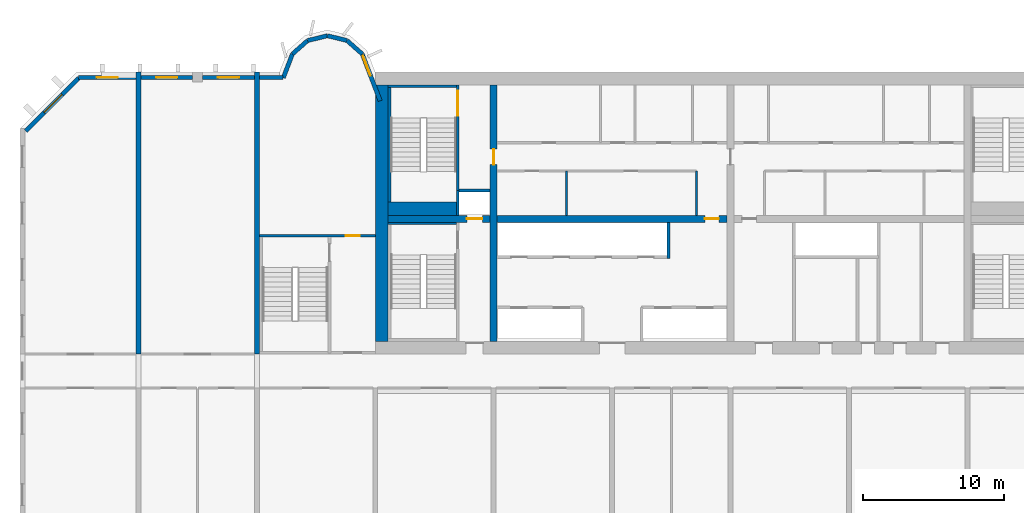
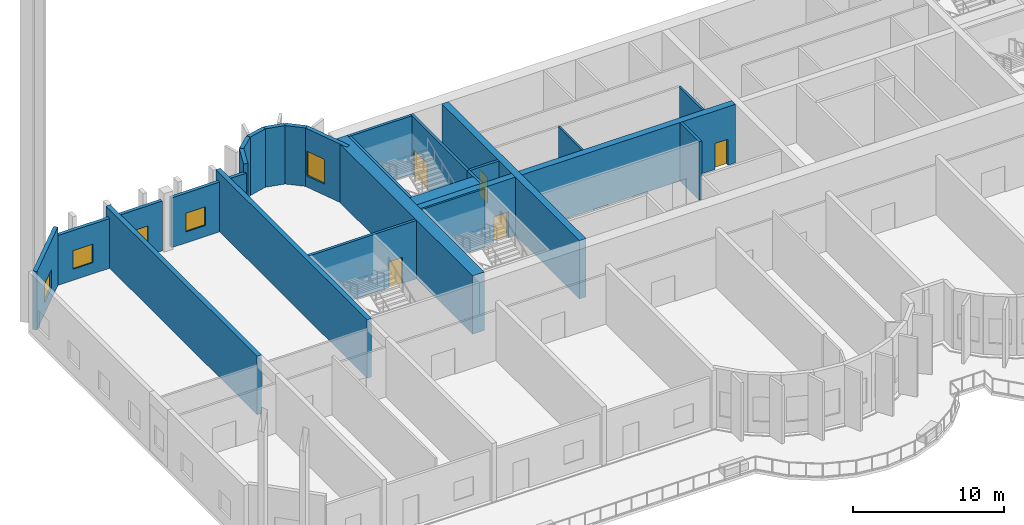
# One storey, part 5 of 13: 28 walls, 5 doors, 5 windows, 10 openings.
"""IFC4 building model written with IfcOpenShell, lengths in metres."""

from ifc_helpers import new_model, si_unit, direction, frame, frame_2d, origin, place, context, subcontext, project, spatial, rectangle, extrude, source, transform, mapped, material, layer, layer_set, type_object, element, fill, save


model = new_model("IFC4")

# Units and contexts
model_context = context("Model", 3, precision=1e-05, world=origin(), true_north=direction((0.0, 1.0)))
body_context = subcontext(model_context, "Body", "Model", "MODEL_VIEW")
ifc_project = project(units=[si_unit("LENGTHUNIT", "METRE"), si_unit("AREAUNIT", "SQUARE_METRE"), si_unit("VOLUMEUNIT", "CUBIC_METRE"), si_unit("PLANEANGLEUNIT", "RADIAN"), si_unit("MASSUNIT", "GRAM", prefix="KILO")], contexts=[model_context])

# Site, building, storey
site_placement = place(None, origin())
site = spatial("IfcSite", under=ifc_project, at=site_placement, CompositionType="ELEMENT")
building_placement = place(site_placement, origin())
building = spatial("IfcBuilding", under=site, at=building_placement, Name="Vanashikhar Sky Hotel", CompositionType="ELEMENT")
storey_placement = place(building_placement, frame((0.0, 0.0, 86.39990234375)))
storey = spatial("IfcBuildingStorey", under=building, at=storey_placement, Name="L20", CompositionType="ELEMENT", Elevation=86.39990234375)

# Wall
ifc_material_1 = material(Name="Concrete M70", Category="concrete")
ifc_layer_1 = layer(ifc_material_1, 0.89990234375)
ifc_layer_set_1 = layer_set([ifc_layer_1], Name="RC core shell wall 900 Concrete M70")
wall_type_1 = type_object("IfcWallType", Name="RC core shell wall 900 Concrete M70", PredefinedType="SHEAR", material=ifc_layer_set_1)
shared_shape_1 = source(origin(), body_context, "Body", "SweptSolid", [
    extrude(rectangle(XDim=18.2001953125, YDim=0.89990234375, at=frame_2d((9.10009765625, 0.0))), origin(), (0.0, 0.0, 1.0), 4.72021484375),
])
wall_1_placement = place(storey_placement, frame((25.64990234375, 22.89990234375, 0.0), z_axis=(0.0, 0.0, 1.0), x_axis=(0.0, 1.0, 0.0)))
element("IfcWall", 1, at=wall_1_placement, inside=storey, type_object=wall_type_1, Name="KW-L20-KW", PredefinedType="SHEAR", context=body_context, shape_type="MappedRepresentation", body=[
    mapped(shared_shape_1, transform((0.0, 0.0, 0.0), scale=1.0)),
])

# Wall, opening, door
ifc_layer_2 = layer(ifc_material_1, 0.5)
ifc_layer_set_2 = layer_set([ifc_layer_2], Name="RC core inner wall 500 Concrete M70")
wall_type_2 = type_object("IfcWallType", Name="RC core inner wall 500 Concrete M70", PredefinedType="SHEAR", material=ifc_layer_set_2)
shared_shape_2 = source(origin(), body_context, "Body", "SweptSolid", [
    extrude(rectangle(XDim=18.2001953125, YDim=0.5, at=frame_2d((9.10009765625, 0.0))), origin(), (0.0, 0.0, 1.0), 4.72021484375),
])
wall_2_placement = place(storey_placement, frame((33.60009765625, 22.89990234375, 0.0), z_axis=(0.0, 0.0, 1.0), x_axis=(0.0, 1.0, 0.0)))
wall_2 = element("IfcWall", 2, at=wall_2_placement, inside=storey, type_object=wall_type_2, Name="KW-L20-KX1", PredefinedType="SHEAR", context=body_context, shape_type="MappedRepresentation", body=[
    mapped(shared_shape_2, transform((0.0, 0.0, 0.0), scale=1.0)),
])
shared_shape_3 = source(origin(), body_context, "Body", "SweptSolid", [
    extrude(rectangle(XDim=1.10009765625, YDim=2.10009765625, at=frame_2d((0.550048828125, 1.050048828125))), frame((0.0, 0.260009765625, 0.0), z_axis=(0.0, -1.0, 0.0), x_axis=(1.0, 0.0, 0.0)), (0.0, 0.0, 1.0), 0.52001953125),
])
opening_1_placement = place(wall_2_placement, frame((12.550048828125, 0.0, 0.0)))
opening_1 = element("IfcOpeningElement", 3, at=opening_1_placement, cuts=wall_2, Name="Opening DC-4-C", PredefinedType="OPENING", context=body_context, shape_type="MappedRepresentation", body=[
    mapped(shared_shape_3, transform((0.0, 0.0, 0.0), scale=1.0)),
])
ifc_material_2 = material(Name="Steel", Category="steel")
door_type_1 = type_object("IfcDoorType", Name="Service door 1100 FD60", OperationType="NOTDEFINED", PredefinedType="DOOR", material=ifc_material_2)
shared_shape_4 = source(origin(), body_context, "Body", "SweptSolid", [
    extrude(rectangle(XDim=1.10009765625, YDim=2.10009765625, at=frame_2d((0.550048828125, 1.050048828125))), frame((0.0, 0.02490234375, 0.0), z_axis=(0.0, -1.0, 0.0), x_axis=(1.0, 0.0, 0.0)), (0.0, 0.0, 1.0), 0.050048828125),
])
door_1_placement = place(opening_1_placement, origin())
door_1 = element("IfcDoor", 4, at=door_1_placement, inside=storey, type_object=door_type_1, Name="Service door 1100 FD60", OperationType="SINGLE_SWING_LEFT", OverallHeight=2.10009765625, OverallWidth=1.10009765625, PredefinedType="DOOR", context=body_context, shape_type="MappedRepresentation", body=[
    mapped(shared_shape_4, transform((0.0, 0.0, 0.0), scale=1.0)),
])
fill(opening_1, door_1)

shared_shape_5 = source(origin(), body_context, "Body", "SweptSolid", [
    extrude(rectangle(XDim=7.25, YDim=0.5, at=frame_2d((3.625, 0.0))), origin(), (0.0, 0.0, 1.0), 4.72021484375),
])
wall_3_placement = place(storey_placement, frame((26.10009765625, 31.60009765625, 0.0), z_axis=(0.0, 0.0, 1.0), x_axis=(1.0, 0.0, 0.0)))
wall_3 = element("IfcWall", 5, at=wall_3_placement, inside=storey, type_object=wall_type_2, Name="KW-L20-KY1", PredefinedType="SHEAR", context=body_context, shape_type="MappedRepresentation", body=[
    mapped(shared_shape_5, transform((0.0, 0.0, 0.0), scale=1.0)),
])
opening_2_placement = place(wall_3_placement, frame((5.60009765625, 0.0, 0.0)))
opening_2 = element("IfcOpeningElement", 6, at=opening_2_placement, cuts=wall_3, Name="Opening LD", PredefinedType="OPENING", context=body_context, shape_type="MappedRepresentation", body=[
    mapped(shared_shape_3, transform((0.0, 0.0, 0.0), scale=1.0)),
])
ifc_material_3 = material(Name="Stainless steel", Category="steel")
door_type_2 = type_object("IfcDoorType", Name="Lift landing door 1100", OperationType="NOTDEFINED", PredefinedType="DOOR", material=ifc_material_3)
door_2_placement = place(opening_2_placement, origin())
door_2 = element("IfcDoor", 7, at=door_2_placement, inside=storey, type_object=door_type_2, Name="Lift landing door 1100", OperationType="SLIDING_TO_RIGHT", OverallHeight=2.10009765625, OverallWidth=1.10009765625, PredefinedType="DOOR", context=body_context, shape_type="MappedRepresentation", body=[
    mapped(shared_shape_4, transform((0.0, 0.0, 0.0), scale=1.0)),
])
fill(opening_2, door_2)

shared_shape_6 = source(origin(), body_context, "Body", "SweptSolid", [
    extrude(rectangle(XDim=16.2998046875, YDim=0.5, at=frame_2d((8.14990234375, 0.0))), origin(), (0.0, 0.0, 1.0), 4.72021484375),
])
wall_4_placement = place(storey_placement, frame((33.85009765625, 31.60009765625, 0.0), z_axis=(0.0, 0.0, 1.0), x_axis=(1.0, 0.0, 0.0)))
wall_4 = element("IfcWall", 8, at=wall_4_placement, inside=storey, type_object=wall_type_2, Name="KW-L20-KY2", PredefinedType="SHEAR", context=body_context, shape_type="MappedRepresentation", body=[
    mapped(shared_shape_6, transform((0.0, 0.0, 0.0), scale=1.0)),
])
shared_shape_7 = source(origin(), body_context, "Body", "SweptSolid", [
    extrude(rectangle(XDim=1.0, YDim=2.10009765625, at=frame_2d((0.5, 1.050048828125))), frame((0.0, 0.260009765625, 0.0), z_axis=(0.0, -1.0, 0.0), x_axis=(1.0, 0.0, 0.0)), (0.0, 0.0, 1.0), 0.52001953125),
])
opening_3_placement = place(wall_4_placement, frame((14.72509765625, 0.0, 0.0)))
opening_3 = element("IfcOpeningElement", 9, at=opening_3_placement, cuts=wall_4, Name="Opening DC-4", PredefinedType="OPENING", context=body_context, shape_type="MappedRepresentation", body=[
    mapped(shared_shape_7, transform((0.0, 0.0, 0.0), scale=1.0)),
])
door_type_3 = type_object("IfcDoorType", Name="Service door 1000 FD60", OperationType="NOTDEFINED", PredefinedType="DOOR", material=ifc_material_2)
shared_shape_8 = source(origin(), body_context, "Body", "SweptSolid", [
    extrude(rectangle(XDim=1.0, YDim=2.10009765625, at=frame_2d((0.5, 1.050048828125))), frame((0.0, 0.02490234375, 0.0), z_axis=(0.0, -1.0, 0.0), x_axis=(1.0, 0.0, 0.0)), (0.0, 0.0, 1.0), 0.050048828125),
])
door_3_placement = place(opening_3_placement, origin())
door_3 = element("IfcDoor", 10, at=door_3_placement, inside=storey, type_object=door_type_3, Name="Service door 1000 FD60", OperationType="SINGLE_SWING_LEFT", OverallHeight=2.10009765625, OverallWidth=1.0, PredefinedType="DOOR", context=body_context, shape_type="MappedRepresentation", body=[
    mapped(shared_shape_8, transform((0.0, 0.0, 0.0), scale=1.0)),
])
fill(opening_3, door_3)

# Walls
ifc_layer_3 = layer(ifc_material_1, 0.35009765625)
ifc_layer_set_3 = layer_set([ifc_layer_3], Name="RC shear wall 350 Concrete M70")
wall_type_3 = type_object("IfcWallType", Name="RC shear wall 350 Concrete M70", PredefinedType="SHEAR", material=ifc_layer_set_3)
shared_shape_9 = source(origin(), body_context, "Body", "SweptSolid", [
    extrude(rectangle(XDim=20.0, YDim=0.35009765625, at=frame_2d((10.0, 0.0))), origin(), (0.0, 0.0, 1.0), 4.72021484375),
])
for number, where, z_axis, x_axis, name in (
    (11, (8.39990234375, 22.0, 0.0), (0.0, 0.0, 1.0), (0.0, 1.0, 0.0), "CW-L20-XW02-2"),
    (12, (16.800048828125, 22.0, 0.0), (0.0, 0.0, 1.0), (0.0, 1.0, 0.0), "CW-L20-XW03-2"),
):
    element("IfcWall", number, at=place(storey_placement, frame(where, z_axis=z_axis, x_axis=x_axis)), inside=storey, type_object=wall_type_3, Name=name, PredefinedType="SHEAR", context=body_context, shape_type="MappedRepresentation", body=[
        mapped(shared_shape_9, transform((0.0, 0.0, 0.0), scale=1.0)),
    ])

# Wall, opening, window
ifc_material_4 = material(Name="Concrete M50", Category="concrete")
ifc_layer_4 = layer(ifc_material_4, 0.300048828125)
ifc_layer_set_4 = layer_set([ifc_layer_4], Name="Lobe wall 300")
wall_type_4 = type_object("IfcWallType", Name="Lobe wall 300", PredefinedType="SOLIDWALL", material=ifc_layer_set_4)
shared_shape_10 = source(origin(), body_context, "Body", "SweptSolid", [
    extrude(rectangle(XDim=5.32568359375, YDim=0.300048828125, at=frame_2d((2.662841796875, 0.0))), origin(), (0.0, 0.0, 1.0), 4.72021484375),
])
wall_5_placement = place(storey_placement, frame((4.165771484375, 41.60009765625, 0.0), z_axis=(0.0, 0.0, 1.0), x_axis=(-0.707106781187, -0.707106781187, 0.0)))
wall_5 = element("IfcWall", 13, at=wall_5_placement, inside=storey, type_object=wall_type_4, Name="Corner wall", PredefinedType="SOLIDWALL", context=body_context, shape_type="MappedRepresentation", body=[
    mapped(shared_shape_10, transform((0.0, 0.0, 0.0), scale=1.0)),
])
shared_shape_11 = source(origin(), body_context, "Body", "SweptSolid", [
    extrude(rectangle(XDim=1.800048828125, YDim=1.5, at=frame_2d((0.89990234375, 0.75))), frame((0.0, 0.16015625, 0.0), z_axis=(0.0, -1.0, 0.0), x_axis=(1.0, 0.0, 0.0)), (0.0, 0.0, 1.0), 0.320068359375),
])
opening_4_placement = place(wall_5_placement, frame((1.671875, 0.0, 0.89990234375)))
opening_4 = element("IfcOpeningElement", 14, at=opening_4_placement, cuts=wall_5, Name="Opening WN-4", PredefinedType="OPENING", context=body_context, shape_type="MappedRepresentation", body=[
    mapped(shared_shape_11, transform((0.0, 0.0, 0.0), scale=1.0)),
])
ifc_material_5 = material(Name="Glass", Category="glass")
window_type_1 = type_object("IfcWindowType", Name="Corner window 1800 x 1500", PartitioningType="SINGLE_PANEL", PredefinedType="WINDOW", material=ifc_material_5)
shared_shape_12 = source(origin(), body_context, "Body", "SweptSolid", [
    extrude(rectangle(XDim=1.800048828125, YDim=1.5, at=frame_2d((0.89990234375, 0.75))), frame((0.0, 0.030029296875, 0.0), z_axis=(0.0, -1.0, 0.0), x_axis=(1.0, 0.0, 0.0)), (0.0, 0.0, 1.0), 0.06005859375),
])
window_1_placement = place(opening_4_placement, origin())
window_1 = element("IfcWindow", 15, at=window_1_placement, inside=storey, type_object=window_type_1, Name="Window WN-4", OverallHeight=1.5, OverallWidth=1.800048828125, PartitioningType="SINGLE_PANEL", PredefinedType="WINDOW", context=body_context, shape_type="MappedRepresentation", body=[
    mapped(shared_shape_12, transform((0.0, 0.0, 0.0), scale=1.0)),
])
fill(opening_4, window_1)

# Wall
ifc_layer_5 = layer(ifc_material_4, 0.25)
ifc_layer_set_5 = layer_set([ifc_layer_5], Name="Rear and end board-marked wall 250")
wall_type_5 = type_object("IfcWallType", Name="Rear and end board-marked wall 250", PredefinedType="SOLIDWALL", material=ifc_layer_set_5)
shared_shape_13 = source(origin(), body_context, "Body", "SweptSolid", [
    extrude(rectangle(XDim=1.682861328125, YDim=0.25, at=frame_2d((0.84130859375, 0.0))), origin(), (0.0, 0.0, 1.0), 4.02001953125),
])
wall_6_placement = place(storey_placement, frame((18.657958984375, 41.625, 0.0), z_axis=(0.0, 0.0, 1.0), x_axis=(-1.0, 0.0, 0.0)))
element("IfcWall", 16, at=wall_6_placement, inside=storey, type_object=wall_type_5, Name="Rear board-marked wall", PredefinedType="SOLIDWALL", context=body_context, shape_type="MappedRepresentation", body=[
    mapped(shared_shape_13, transform((0.0, 0.0, 0.0), scale=1.0)),
])

# Wall, opening, window
shared_shape_14 = source(origin(), body_context, "Body", "SweptSolid", [
    extrude(rectangle(XDim=3.675048828125, YDim=0.25, at=frame_2d((1.83740234375, 0.0))), origin(), (0.0, 0.0, 1.0), 4.02001953125),
])
wall_7_placement = place(storey_placement, frame((12.25, 41.625, 0.0), z_axis=(0.0, 0.0, 1.0), x_axis=(-1.0, 0.0, 0.0)))
wall_7 = element("IfcWall", 17, at=wall_7_placement, inside=storey, type_object=wall_type_5, Name="Rear board-marked wall", PredefinedType="SOLIDWALL", context=body_context, shape_type="MappedRepresentation", body=[
    mapped(shared_shape_14, transform((0.0, 0.0, 0.0), scale=1.0)),
])
shared_shape_15 = source(origin(), body_context, "Body", "SweptSolid", [
    extrude(rectangle(XDim=1.5, YDim=1.5, at=frame_2d((0.75, 0.75))), frame((0.0, 0.135009765625, 0.0), z_axis=(0.0, -1.0, 0.0), x_axis=(1.0, 0.0, 0.0)), (0.0, 0.0, 1.0), 0.27001953125),
])
opening_5_placement = place(wall_7_placement, frame((1.08740234375, 0.0, 0.89990234375)))
opening_5 = element("IfcOpeningElement", 18, at=opening_5_placement, cuts=wall_7, Name="Opening WN-1", PredefinedType="OPENING", context=body_context, shape_type="MappedRepresentation", body=[
    mapped(shared_shape_15, transform((0.0, 0.0, 0.0), scale=1.0)),
])
window_type_2 = type_object("IfcWindowType", Name="Window 1500 x 1500", PartitioningType="SINGLE_PANEL", PredefinedType="WINDOW", material=ifc_material_5)
shared_shape_16 = source(origin(), body_context, "Body", "SweptSolid", [
    extrude(rectangle(XDim=1.5, YDim=1.5, at=frame_2d((0.75, 0.75))), frame((0.0, 0.030029296875, 0.0), z_axis=(0.0, -1.0, 0.0), x_axis=(1.0, 0.0, 0.0)), (0.0, 0.0, 1.0), 0.06005859375),
])
window_2_placement = place(opening_5_placement, origin())
window_2 = element("IfcWindow", 19, at=window_2_placement, inside=storey, type_object=window_type_2, Name="Window WN-1", OverallHeight=1.5, OverallWidth=1.5, PartitioningType="SINGLE_PANEL", PredefinedType="WINDOW", context=body_context, shape_type="MappedRepresentation", body=[
    mapped(shared_shape_16, transform((0.0, 0.0, 0.0), scale=1.0)),
])
fill(opening_5, window_2)

wall_8_placement = place(storey_placement, frame((16.625, 41.625, 0.0), z_axis=(0.0, 0.0, 1.0), x_axis=(-1.0, 0.0, 0.0)))
wall_8 = element("IfcWall", 20, at=wall_8_placement, inside=storey, type_object=wall_type_5, Name="Rear board-marked wall", PredefinedType="SOLIDWALL", context=body_context, shape_type="MappedRepresentation", body=[
    mapped(shared_shape_14, transform((0.0, 0.0, 0.0), scale=1.0)),
])
opening_6_placement = place(wall_8_placement, frame((1.08740234375, 0.0, 0.89990234375)))
opening_6 = element("IfcOpeningElement", 21, at=opening_6_placement, cuts=wall_8, Name="Opening WN-1", PredefinedType="OPENING", context=body_context, shape_type="MappedRepresentation", body=[
    mapped(shared_shape_15, transform((0.0, 0.0, 0.0), scale=1.0)),
])
window_3_placement = place(opening_6_placement, origin())
window_3 = element("IfcWindow", 22, at=window_3_placement, inside=storey, type_object=window_type_2, Name="Window WN-1", OverallHeight=1.5, OverallWidth=1.5, PartitioningType="SINGLE_PANEL", PredefinedType="WINDOW", context=body_context, shape_type="MappedRepresentation", body=[
    mapped(shared_shape_16, transform((0.0, 0.0, 0.0), scale=1.0)),
])
fill(opening_6, window_3)

shared_shape_17 = source(origin(), body_context, "Body", "SweptSolid", [
    extrude(rectangle(XDim=4.06982421875, YDim=0.25, at=frame_2d((2.034912109375, 0.0))), origin(), (0.0, 0.0, 1.0), 4.02001953125),
])
wall_9_placement = place(storey_placement, frame((8.22509765625, 41.625, 0.0), z_axis=(0.0, 0.0, 1.0), x_axis=(-1.0, 0.0, 0.0)))
wall_9 = element("IfcWall", 23, at=wall_9_placement, inside=storey, type_object=wall_type_5, Name="Rear board-marked wall", PredefinedType="SOLIDWALL", context=body_context, shape_type="MappedRepresentation", body=[
    mapped(shared_shape_17, transform((0.0, 0.0, 0.0), scale=1.0)),
])
opening_7_placement = place(wall_9_placement, frame((1.284912109375, 0.0, 0.89990234375)))
opening_7 = element("IfcOpeningElement", 24, at=opening_7_placement, cuts=wall_9, Name="Opening WN-1", PredefinedType="OPENING", context=body_context, shape_type="MappedRepresentation", body=[
    mapped(shared_shape_15, transform((0.0, 0.0, 0.0), scale=1.0)),
])
window_4_placement = place(opening_7_placement, origin())
window_4 = element("IfcWindow", 25, at=window_4_placement, inside=storey, type_object=window_type_2, Name="Window WN-1", OverallHeight=1.5, OverallWidth=1.5, PartitioningType="SINGLE_PANEL", PredefinedType="WINDOW", context=body_context, shape_type="MappedRepresentation", body=[
    mapped(shared_shape_16, transform((0.0, 0.0, 0.0), scale=1.0)),
])
fill(opening_7, window_4)

# Walls
shared_shape_18 = source(origin(), body_context, "Body", "SweptSolid", [
    extrude(rectangle(XDim=1.81201171875, YDim=0.300048828125, at=frame_2d((0.906005859375, 0.0))), origin(), (0.0, 0.0, 1.0), 4.72021484375),
])
wall_10_placement = place(storey_placement, frame((19.323486328125, 43.2919921875, 0.0), z_axis=(0.0, 0.0, 1.0), x_axis=(-0.357877270961, -0.93376863244, 0.0)))
element("IfcWall", 26, at=wall_10_placement, inside=storey, type_object=wall_type_4, Name="Lobe wall", PredefinedType="SOLIDWALL", context=body_context, shape_type="MappedRepresentation", body=[
    mapped(shared_shape_18, transform((0.0, 0.0, 0.0), scale=1.0)),
])
shared_shape_19 = source(origin(), body_context, "Body", "SweptSolid", [
    extrude(rectangle(XDim=1.43994140625, YDim=0.300048828125, at=frame_2d((0.719970703125, 0.0))), origin(), (0.0, 0.0, 1.0), 4.72021484375),
])
wall_11_placement = place(storey_placement, frame((20.40283203125, 44.2451171875, 0.0), z_axis=(0.0, 0.0, 1.0), x_axis=(-0.74957555648, -0.661918790432, 0.0)))
element("IfcWall", 27, at=wall_11_placement, inside=storey, type_object=wall_type_4, Name="Lobe wall", PredefinedType="SOLIDWALL", context=body_context, shape_type="MappedRepresentation", body=[
    mapped(shared_shape_19, transform((0.0, 0.0, 0.0), scale=1.0)),
])
shared_shape_20 = source(origin(), body_context, "Body", "SweptSolid", [
    extrude(rectangle(XDim=1.438720703125, YDim=0.300048828125, at=frame_2d((0.71923828125, 0.0))), origin(), (0.0, 0.0, 1.0), 4.72021484375),
])
wall_12_placement = place(storey_placement, frame((21.800048828125, 44.588134765625, 0.0), z_axis=(0.0, 0.0, 1.0), x_axis=(-0.971161932466, -0.238420848351, 0.0)))
element("IfcWall", 28, at=wall_12_placement, inside=storey, type_object=wall_type_4, Name="Lobe wall", PredefinedType="SOLIDWALL", context=body_context, shape_type="MappedRepresentation", body=[
    mapped(shared_shape_20, transform((0.0, 0.0, 0.0), scale=1.0)),
])

# Wall, opening, window
shared_shape_21 = source(origin(), body_context, "Body", "SweptSolid", [
    extrude(rectangle(XDim=3.55908203125, YDim=0.300048828125, at=frame_2d((1.779541015625, 0.0))), origin(), (0.0, 0.0, 1.0), 4.72021484375),
])
wall_13_placement = place(storey_placement, frame((25.550048828125, 39.968505859375, 0.0), z_axis=(0.0, 0.0, 1.0), x_axis=(-0.35779745313, 0.933799219604, 0.0)))
wall_13 = element("IfcWall", 29, at=wall_13_placement, inside=storey, type_object=wall_type_4, Name="Lobe wall", PredefinedType="SOLIDWALL", context=body_context, shape_type="MappedRepresentation", body=[
    mapped(shared_shape_21, transform((0.0, 0.0, 0.0), scale=1.0)),
])
shared_shape_22 = source(origin(), body_context, "Body", "SweptSolid", [
    extrude(rectangle(XDim=1.5, YDim=2.0, at=frame_2d((0.75, 1.0))), frame((0.0, 0.16015625, 0.0), z_axis=(0.0, -1.0, 0.0), x_axis=(1.0, 0.0, 0.0)), (0.0, 0.0, 1.0), 0.320068359375),
])
opening_8_placement = place(wall_13_placement, frame((1.9033203125, 0.0, 0.89990234375)))
opening_8 = element("IfcOpeningElement", 30, at=opening_8_placement, cuts=wall_13, Name="Opening WN-2", PredefinedType="OPENING", context=body_context, shape_type="MappedRepresentation", body=[
    mapped(shared_shape_22, transform((0.0, 0.0, 0.0), scale=1.0)),
])
window_type_3 = type_object("IfcWindowType", Name="Lobe window 1500 x 2000", PartitioningType="SINGLE_PANEL", PredefinedType="WINDOW", material=ifc_material_5)
shared_shape_23 = source(origin(), body_context, "Body", "SweptSolid", [
    extrude(rectangle(XDim=1.5, YDim=2.0, at=frame_2d((0.75, 1.0))), frame((0.0, 0.030029296875, 0.0), z_axis=(0.0, -1.0, 0.0), x_axis=(1.0, 0.0, 0.0)), (0.0, 0.0, 1.0), 0.06005859375),
])
window_5_placement = place(opening_8_placement, origin())
window_5 = element("IfcWindow", 31, at=window_5_placement, inside=storey, type_object=window_type_3, Name="Window WN-2", OverallHeight=2.0, OverallWidth=1.5, PartitioningType="SINGLE_PANEL", PredefinedType="WINDOW", context=body_context, shape_type="MappedRepresentation", body=[
    mapped(shared_shape_23, transform((0.0, 0.0, 0.0), scale=1.0)),
])
fill(opening_8, window_5)

# Walls
shared_shape_24 = source(origin(), body_context, "Body", "SweptSolid", [
    extrude(rectangle(XDim=1.440185546875, YDim=0.300048828125, at=frame_2d((0.72021484375, 0.0))), origin(), (0.0, 0.0, 1.0), 4.72021484375),
])
wall_14_placement = place(storey_placement, frame((24.276611328125, 43.2919921875, 0.0), z_axis=(0.0, 0.0, 1.0), x_axis=(-0.749649827867, 0.661834673902, 0.0)))
element("IfcWall", 32, at=wall_14_placement, inside=storey, type_object=wall_type_4, Name="Lobe wall", PredefinedType="SOLIDWALL", context=body_context, shape_type="MappedRepresentation", body=[
    mapped(shared_shape_24, transform((0.0, 0.0, 0.0), scale=1.0)),
])
shared_shape_25 = source(origin(), body_context, "Body", "SweptSolid", [
    extrude(rectangle(XDim=1.4384765625, YDim=0.300048828125, at=frame_2d((0.71923828125, 0.0))), origin(), (0.0, 0.0, 1.0), 4.72021484375),
])
wall_15_placement = place(storey_placement, frame((23.197021484375, 44.2451171875, 0.0), z_axis=(0.0, 0.0, 1.0), x_axis=(-0.971152283879, 0.238460146601, 0.0)))
element("IfcWall", 33, at=wall_15_placement, inside=storey, type_object=wall_type_4, Name="Lobe wall", PredefinedType="SOLIDWALL", context=body_context, shape_type="MappedRepresentation", body=[
    mapped(shared_shape_25, transform((0.0, 0.0, 0.0), scale=1.0)),
])
ifc_material_6 = material(Name="Concrete M40", Category="concrete")
ifc_layer_6 = layer(ifc_material_6, 0.199951171875)
ifc_layer_set_6 = layer_set([ifc_layer_6], Name="Shaft wall 200")
wall_type_6 = type_object("IfcWallType", Name="Shaft wall 200", PredefinedType="SOLIDWALL", material=ifc_layer_set_6)
shared_shape_26 = source(origin(), body_context, "Body", "SweptSolid", [
    extrude(rectangle(XDim=2.550048828125, YDim=0.199951171875, at=frame_2d((1.27490234375, 0.0))), origin(), (0.0, 0.0, 1.0), 4.72021484375),
])
wall_16_placement = place(storey_placement, frame((46.0, 28.800048828125, 0.0), z_axis=(0.0, 0.0, 1.0), x_axis=(0.0, 1.0, 0.0)))
element("IfcWall", 34, at=wall_16_placement, inside=storey, type_object=wall_type_6, Name="Shaft wall 200", PredefinedType="SOLIDWALL", context=body_context, shape_type="MappedRepresentation", body=[
    mapped(shared_shape_26, transform((0.0, 0.0, 0.0), scale=1.0)),
])
ifc_material_7 = material(Name="Gypsum board partition")
ifc_layer_7 = layer(ifc_material_7, 0.14990234375)
ifc_layer_set_7 = layer_set([ifc_layer_7], Name="Service partition 150")
wall_type_7 = type_object("IfcWallType", Name="Service partition 150", PredefinedType="PARTITIONING", material=ifc_layer_set_7)
shared_shape_27 = source(origin(), body_context, "Body", "SweptSolid", [
    extrude(rectangle(XDim=3.14990234375, YDim=0.14990234375, at=frame_2d((1.574951171875, 0.0))), origin(), (0.0, 0.0, 1.0), 4.72021484375),
])
for number, where, z_axis, x_axis, name in (
    (35, (48.0, 31.85009765625, 0.0), (0.0, 0.0, 1.0), (0.0, 1.0, 0.0), "Service partition 150"),
    (36, (38.77587890625, 31.85009765625, 0.0), (0.0, 0.0, 1.0), (0.0, 1.0, 0.0), "Service partition 150"),
):
    element("IfcWall", number, at=place(storey_placement, frame(where, z_axis=z_axis, x_axis=x_axis)), inside=storey, type_object=wall_type_7, Name=name, PredefinedType="PARTITIONING", context=body_context, shape_type="MappedRepresentation", body=[
        mapped(shared_shape_27, transform((0.0, 0.0, 0.0), scale=1.0)),
    ])
shared_shape_28 = source(origin(), body_context, "Body", "SweptSolid", [
    extrude(rectangle(XDim=1.75, YDim=0.199951171875, at=frame_2d((0.875, 0.0))), origin(), (0.0, 0.0, 1.0), 4.72021484375),
])
wall_17_placement = place(storey_placement, frame((31.050048828125, 31.85009765625, 0.0), z_axis=(0.0, 0.0, 1.0), x_axis=(0.0, 1.0, 0.0)))
element("IfcWall", 37, at=wall_17_placement, inside=storey, type_object=wall_type_6, Name="Shaft wall 200", PredefinedType="SOLIDWALL", context=body_context, shape_type="MappedRepresentation", body=[
    mapped(shared_shape_28, transform((0.0, 0.0, 0.0), scale=1.0)),
])
shared_shape_29 = source(origin(), body_context, "Body", "SweptSolid", [
    extrude(rectangle(XDim=2.2001953125, YDim=0.199951171875, at=frame_2d((1.10009765625, 0.0))), origin(), (0.0, 0.0, 1.0), 4.72021484375),
])
wall_18_placement = place(storey_placement, frame((31.14990234375, 33.60009765625, 0.0), z_axis=(0.0, 0.0, 1.0), x_axis=(1.0, 0.0, 0.0)))
element("IfcWall", 38, at=wall_18_placement, inside=storey, type_object=wall_type_6, Name="Shaft wall 200", PredefinedType="SOLIDWALL", context=body_context, shape_type="MappedRepresentation", body=[
    mapped(shared_shape_29, transform((0.0, 0.0, 0.0), scale=1.0)),
])

# Wall, opening, door
ifc_layer_8 = layer(ifc_material_4, 0.199951171875)
ifc_layer_set_8 = layer_set([ifc_layer_8], Name="Stair wall 200")
wall_type_8 = type_object("IfcWallType", Name="Stair wall 200", PredefinedType="SOLIDWALL", material=ifc_layer_set_8)
shared_shape_30 = source(origin(), body_context, "Body", "SweptSolid", [
    extrude(rectangle(XDim=7.5, YDim=0.199951171875, at=frame_2d((3.75, 0.0))), origin(), (0.0, 0.0, 1.0), 4.72021484375),
])
wall_19_placement = place(storey_placement, frame((31.050048828125, 33.60009765625, 0.0), z_axis=(0.0, 0.0, 1.0), x_axis=(0.0, 1.0, 0.0)))
wall_19 = element("IfcWall", 39, at=wall_19_placement, inside=storey, type_object=wall_type_8, Name="Stair wall 200", PredefinedType="SOLIDWALL", context=body_context, shape_type="MappedRepresentation", body=[
    mapped(shared_shape_30, transform((0.0, 0.0, 0.0), scale=1.0)),
])
shared_shape_31 = source(origin(), body_context, "Body", "SweptSolid", [
    extrude(rectangle(XDim=1.800048828125, YDim=2.10009765625, at=frame_2d((0.89990234375, 1.050048828125))), frame((0.0, 0.10986328125, 0.0), z_axis=(0.0, -1.0, 0.0), x_axis=(1.0, 0.0, 0.0)), (0.0, 0.0, 1.0), 0.219970703125),
])
opening_9_placement = place(wall_19_placement, frame((5.300048828125, 0.0, 0.0)))
opening_9 = element("IfcOpeningElement", 40, at=opening_9_placement, cuts=wall_19, Name="Opening DC-1-A", PredefinedType="OPENING", context=body_context, shape_type="MappedRepresentation", body=[
    mapped(shared_shape_31, transform((0.0, 0.0, 0.0), scale=1.0)),
])
door_type_4 = type_object("IfcDoorType", Name="Stair door 1800 FD120", OperationType="NOTDEFINED", PredefinedType="DOOR", material=ifc_material_2)
shared_shape_32 = source(origin(), body_context, "Body", "SweptSolid", [
    extrude(rectangle(XDim=1.800048828125, YDim=2.10009765625, at=frame_2d((0.89990234375, 1.050048828125))), frame((0.0, 0.02490234375, 0.0), z_axis=(0.0, -1.0, 0.0), x_axis=(1.0, 0.0, 0.0)), (0.0, 0.0, 1.0), 0.050048828125),
])
door_4_placement = place(opening_9_placement, origin())
door_4 = element("IfcDoor", 41, at=door_4_placement, inside=storey, type_object=door_type_4, Name="Stair door 1800 FD120", OperationType="SINGLE_SWING_LEFT", OverallHeight=2.10009765625, OverallWidth=1.800048828125, PredefinedType="DOOR", context=body_context, shape_type="MappedRepresentation", body=[
    mapped(shared_shape_32, transform((0.0, 0.0, 0.0), scale=1.0)),
])
fill(opening_9, door_4)

shared_shape_33 = source(origin(), body_context, "Body", "SweptSolid", [
    extrude(rectangle(XDim=8.224853515625, YDim=0.199951171875, at=frame_2d((4.1123046875, 0.0))), origin(), (0.0, 0.0, 1.0), 4.72021484375),
])
wall_20_placement = place(storey_placement, frame((16.97509765625, 30.39990234375, 0.0), z_axis=(0.0, 0.0, 1.0), x_axis=(1.0, 0.0, 0.0)))
wall_20 = element("IfcWall", 42, at=wall_20_placement, inside=storey, type_object=wall_type_8, Name="Stair wall 200", PredefinedType="SOLIDWALL", context=body_context, shape_type="MappedRepresentation", body=[
    mapped(shared_shape_33, transform((0.0, 0.0, 0.0), scale=1.0)),
])
shared_shape_34 = source(origin(), body_context, "Body", "SweptSolid", [
    extrude(rectangle(XDim=1.0, YDim=2.10009765625, at=frame_2d((0.5, 1.050048828125))), frame((0.0, 0.10986328125, 0.0), z_axis=(0.0, -1.0, 0.0), x_axis=(1.0, 0.0, 0.0)), (0.0, 0.0, 1.0), 0.219970703125),
])
opening_10_placement = place(wall_20_placement, frame((6.125, 0.0, 0.0)))
opening_10 = element("IfcOpeningElement", 43, at=opening_10_placement, cuts=wall_20, Name="Opening DC-6", PredefinedType="OPENING", context=body_context, shape_type="MappedRepresentation", body=[
    mapped(shared_shape_34, transform((0.0, 0.0, 0.0), scale=1.0)),
])
door_type_5 = type_object("IfcDoorType", Name="Pocket door 1000 FD60", OperationType="NOTDEFINED", PredefinedType="DOOR", material=ifc_material_2)
door_5_placement = place(opening_10_placement, origin())
door_5 = element("IfcDoor", 44, at=door_5_placement, inside=storey, type_object=door_type_5, Name="Pocket door 1000 FD60", OperationType="SINGLE_SWING_LEFT", OverallHeight=2.10009765625, OverallWidth=1.0, PredefinedType="DOOR", context=body_context, shape_type="MappedRepresentation", body=[
    mapped(shared_shape_8, transform((0.0, 0.0, 0.0), scale=1.0)),
])
fill(opening_10, door_5)

# Walls
ifc_layer_9 = layer(ifc_material_4, 0.199951171875)
ifc_layer_set_9 = layer_set([ifc_layer_9], Name="Stair infill wall 200")
wall_type_9 = type_object("IfcWallType", Name="Stair infill wall 200", PredefinedType="SOLIDWALL", material=ifc_layer_set_9)
shared_shape_35 = source(origin(), body_context, "Body", "SweptSolid", [
    extrude(rectangle(XDim=4.849853515625, YDim=0.199951171875, at=frame_2d((2.4248046875, 0.0))), origin(), (0.0, 0.0, 1.0), 4.72021484375),
])
wall_21_placement = place(storey_placement, frame((26.10009765625, 41.0, 0.0), z_axis=(0.0, 0.0, 1.0), x_axis=(1.0, 0.0, 0.0)))
element("IfcWall", 45, at=wall_21_placement, inside=storey, type_object=wall_type_9, Name="Stair infill wall 200", PredefinedType="SOLIDWALL", context=body_context, shape_type="MappedRepresentation", body=[
    mapped(shared_shape_35, transform((0.0, 0.0, 0.0), scale=1.0)),
])
ifc_layer_10 = layer(ifc_material_4, 0.14990234375)
ifc_layer_set_10 = layer_set([ifc_layer_10], Name="Stair infill wall 150")
wall_type_10 = type_object("IfcWallType", Name="Stair infill wall 150", PredefinedType="SOLIDWALL", material=ifc_layer_set_10)
shared_shape_36 = source(origin(), body_context, "Body", "SweptSolid", [
    extrude(rectangle(XDim=4.849853515625, YDim=0.14990234375, at=frame_2d((2.4248046875, 0.0))), origin(), (0.0, 0.0, 1.0), 4.72021484375),
])
wall_22_placement = place(storey_placement, frame((26.10009765625, 31.27490234375, 0.0), z_axis=(0.0, 0.0, 1.0), x_axis=(1.0, 0.0, 0.0)))
element("IfcWall", 46, at=wall_22_placement, inside=storey, type_object=wall_type_10, Name="Stair infill wall 150", PredefinedType="SOLIDWALL", context=body_context, shape_type="MappedRepresentation", body=[
    mapped(shared_shape_36, transform((0.0, 0.0, 0.0), scale=1.0)),
])
shared_shape_37 = source(origin(), body_context, "Body", "SweptSolid", [
    extrude(rectangle(XDim=8.099853515625, YDim=0.199951171875, at=frame_2d((4.0498046875, 0.0))), origin(), (0.0, 0.0, 1.0), 4.72021484375),
])
wall_23_placement = place(storey_placement, frame((26.199951171875, 32.800048828125, 0.0), z_axis=(0.0, 0.0, 1.0), x_axis=(0.0, 1.0, 0.0)))
element("IfcWall", 47, at=wall_23_placement, inside=storey, type_object=wall_type_9, Name="Stair infill wall 200", PredefinedType="SOLIDWALL", context=body_context, shape_type="MappedRepresentation", body=[
    mapped(shared_shape_37, transform((0.0, 0.0, 0.0), scale=1.0)),
])
ifc_layer_11 = layer(ifc_material_4, 0.949951171875)
ifc_layer_set_11 = layer_set([ifc_layer_11], Name="Stair infill wall 950")
wall_type_11 = type_object("IfcWallType", Name="Stair infill wall 950", PredefinedType="SOLIDWALL", material=ifc_layer_set_11)
shared_shape_38 = source(origin(), body_context, "Body", "SweptSolid", [
    extrude(rectangle(XDim=4.849853515625, YDim=0.949951171875, at=frame_2d((2.4248046875, 0.0))), origin(), (0.0, 0.0, 1.0), 4.72021484375),
])
wall_24_placement = place(storey_placement, frame((26.10009765625, 32.324951171875, 0.0), z_axis=(0.0, 0.0, 1.0), x_axis=(1.0, 0.0, 0.0)))
element("IfcWall", 48, at=wall_24_placement, inside=storey, type_object=wall_type_11, Name="Stair infill wall 950", PredefinedType="SOLIDWALL", context=body_context, shape_type="MappedRepresentation", body=[
    mapped(shared_shape_38, transform((0.0, 0.0, 0.0), scale=1.0)),
])

save(model, "model.ifc")
